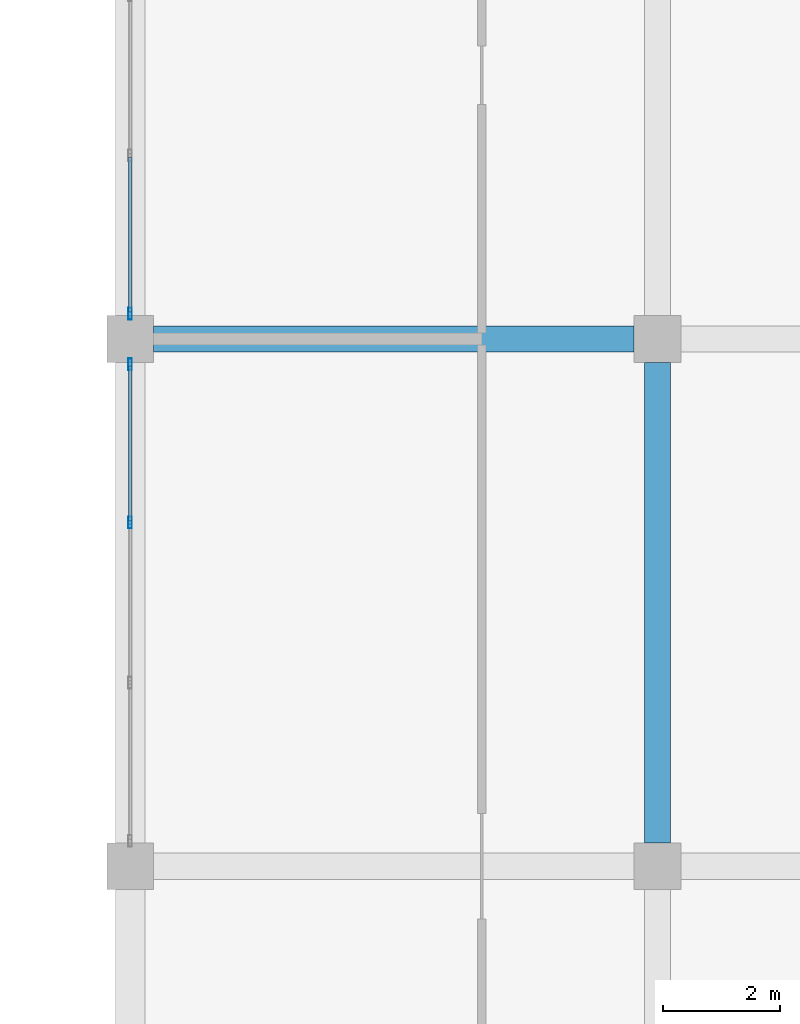
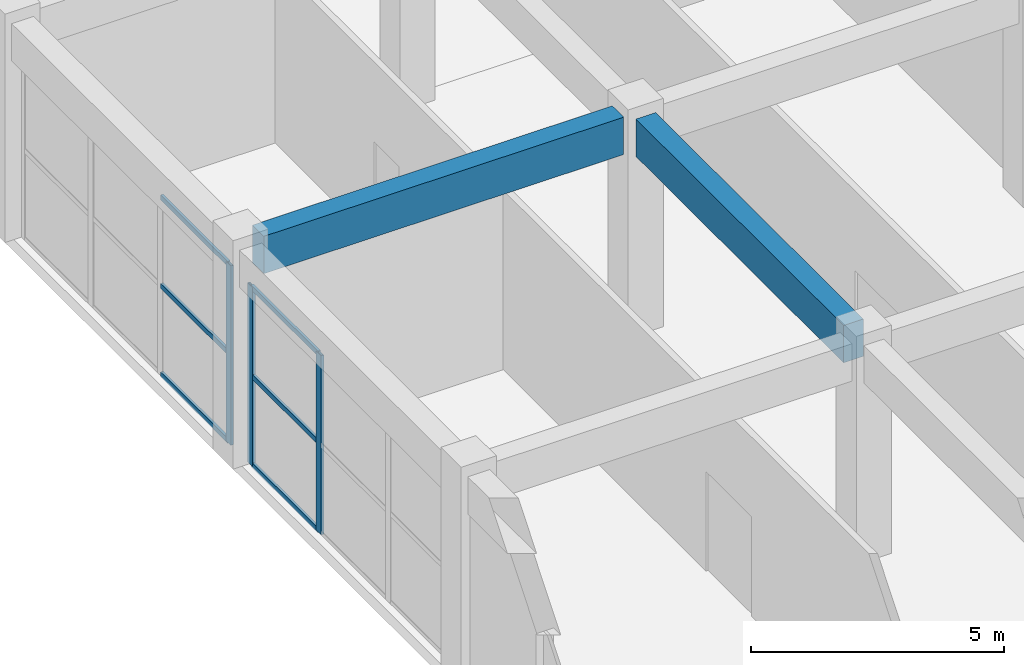
# One storey, part 202 of 437: 9 members, 2 beams, 2 elements without a shape of their own.
"""IFC4 building model written with IfcOpenShell, lengths in metres."""

from ifc_helpers import new_model, si_unit, direction, frame, origin, origin_2d, place, context, subcontext, project, spatial, rectangle, hollow_rectangle, extrude, material, layer, layer_set, material_profile, profile_set, type_object, element, aggregate, save


model = new_model("IFC4")

# Units and contexts
model_context = context("Model", 3, precision=1e-05, world=origin(), true_north=direction((0.0, 1.0)))
body_context = subcontext(model_context, "Body", "Model", "MODEL_VIEW")
ifc_project = project(units=[si_unit("LENGTHUNIT", "METRE"), si_unit("AREAUNIT", "SQUARE_METRE"), si_unit("VOLUMEUNIT", "CUBIC_METRE"), si_unit("PLANEANGLEUNIT", "RADIAN"), si_unit("MASSUNIT", "GRAM", prefix="KILO")], contexts=[model_context])

# Site, building, storey
site_placement = place(None, origin())
site = spatial("IfcSite", under=ifc_project, at=site_placement, CompositionType="ELEMENT")
building_placement = place(site_placement, origin())
building = spatial("IfcBuilding", under=site, at=building_placement, Name="Opaline Strait Convention Centre", CompositionType="ELEMENT")
storey_placement = place(building_placement, frame((0.0, 0.0, 11.5)))
storey = spatial("IfcBuildingStorey", under=building, at=storey_placement, Name="L02", CompositionType="ELEMENT", Elevation=11.5)

# Curtain wall, members
ifc_material_1 = material(Name="Aluminium framed double glazing", Category="aluminium")
ifc_layer = layer(ifc_material_1, 0.199951171875)
ifc_layer_set = layer_set([ifc_layer], Name="Aluminium framed double glazing")
curtain_wall_type = type_object("IfcCurtainWallType", Name="Curtain wall 3000 module unitised", PredefinedType="NOTDEFINED", material=ifc_layer_set)
curtain_wall_1_placement = place(storey_placement, origin())
curtain_wall_1 = element("IfcCurtainWall", 1, at=curtain_wall_1_placement, inside=storey, type_object=curtain_wall_type, Name="Curtain wall W L02 32/P", PredefinedType="NOTDEFINED")
ifc_material_2 = material(Name="Aluminium alloy 6063", Category="aluminium")
ifc_material_profile_1 = material_profile(ifc_material_2, hollow_rectangle(XDim=0.06005859375, YDim=0.199951171875, WallThickness=0.00390625, at=origin_2d()), Name="MULLION 60x200x4")
ifc_profile_set_1 = profile_set([ifc_material_profile_1], Name="Aluminium alloy 6063")
member_type_1 = type_object("IfcMemberType", Name="Curtain wall mullion 60 x 200", PredefinedType="MULLION", material=ifc_profile_set_1)
member_1_placement = place(storey_placement, frame((279.0, 122.86669921875, 0.0), z_axis=(0.0, 0.0, 1.0), x_axis=(-1.0, 0.0, 0.0)))
member_1 = element("IfcMember", 2, at=member_1_placement, type_object=member_type_1, Name="MCWR1 mullion 3", PredefinedType="MULLION", context=body_context, shape_type="SweptSolid", body=[
    extrude(hollow_rectangle(XDim=0.06005859375, YDim=0.199951171875, WallThickness=0.00390625, at=origin_2d()), origin(), (0.0, 0.0, 1.0), 4.320068359375),
])
member_2_placement = place(storey_placement, frame((279.0, 125.570068359375, 0.0), z_axis=(0.0, 0.0, 1.0), x_axis=(-1.0, 0.0, 0.0)))
member_2 = element("IfcMember", 3, at=member_2_placement, type_object=member_type_1, Name="MCWR1 mullion 4", PredefinedType="MULLION", context=body_context, shape_type="SweptSolid", body=[
    extrude(hollow_rectangle(XDim=0.06005859375, YDim=0.199951171875, WallThickness=0.00390625, at=origin_2d()), origin(), (0.0, 0.0, 1.0), 4.320068359375),
])

# Curtain wall, member
curtain_wall_2_placement = place(storey_placement, origin())
curtain_wall_2 = element("IfcCurtainWall", 4, at=curtain_wall_2_placement, inside=storey, type_object=curtain_wall_type, Name="Curtain wall W L02 32/Q", PredefinedType="NOTDEFINED")
member_3_placement = place(storey_placement, frame((279.0, 126.429931640625, 0.0), z_axis=(0.0, 0.0, 1.0), x_axis=(-1.0, 0.0, 0.0)))
member_3 = element("IfcMember", 5, at=member_3_placement, type_object=member_type_1, Name="MCWR1 mullion 1", PredefinedType="MULLION", context=body_context, shape_type="SweptSolid", body=[
    extrude(hollow_rectangle(XDim=0.06005859375, YDim=0.199951171875, WallThickness=0.00390625, at=origin_2d()), origin(), (0.0, 0.0, 1.0), 4.320068359375),
])

# Member
ifc_material_profile_2 = material_profile(ifc_material_2, hollow_rectangle(XDim=0.06005859375, YDim=0.1201171875, WallThickness=0.0029296875, at=origin_2d()), Name="TRANSOM 60x120x3")
ifc_profile_set_2 = profile_set([ifc_material_profile_2], Name="Aluminium alloy 6063")
member_type_2 = type_object("IfcMemberType", Name="Curtain wall transom 60 x 120", PredefinedType="USERDEFINED", material=ifc_profile_set_2)
member_4_placement = place(storey_placement, frame((279.0, 122.896728515625, 0.030029296875), z_axis=(0.0, 1.0, 0.0), x_axis=(-1.0, 0.0, 0.0)))
member_4 = element("IfcMember", 6, at=member_4_placement, type_object=member_type_2, Name="MCWR1 transom 3.1", ObjectType="TRANSOM", PredefinedType="USERDEFINED", context=body_context, shape_type="SweptSolid", body=[
    extrude(hollow_rectangle(XDim=0.06005859375, YDim=0.1201171875, WallThickness=0.0029296875, at=origin_2d()), origin(), (0.0, 0.0, 1.0), 2.643310546875),
])

member_5_placement = place(storey_placement, frame((279.0, 122.896728515625, 2.159912109375), z_axis=(0.0, 1.0, 0.0), x_axis=(-1.0, 0.0, 0.0)))
member_5 = element("IfcMember", 7, at=member_5_placement, type_object=member_type_2, Name="MCWR1 transom 3.2", ObjectType="TRANSOM", PredefinedType="USERDEFINED", context=body_context, shape_type="SweptSolid", body=[
    extrude(hollow_rectangle(XDim=0.06005859375, YDim=0.1201171875, WallThickness=0.0029296875, at=origin_2d()), origin(), (0.0, 0.0, 1.0), 2.643310546875),
])

member_6_placement = place(storey_placement, frame((279.0, 122.896728515625, 4.2900390625), z_axis=(0.0, 1.0, 0.0), x_axis=(-1.0, 0.0, 0.0)))
member_6 = element("IfcMember", 8, at=member_6_placement, type_object=member_type_2, Name="MCWR1 transom 3.3", ObjectType="TRANSOM", PredefinedType="USERDEFINED", context=body_context, shape_type="SweptSolid", body=[
    extrude(hollow_rectangle(XDim=0.06005859375, YDim=0.1201171875, WallThickness=0.0029296875, at=origin_2d()), origin(), (0.0, 0.0, 1.0), 2.643310546875),
])

aggregate(curtain_wall_1, [member_1, member_2, member_4, member_5, member_6])

member_7_placement = place(storey_placement, frame((279.0, 126.4599609375, 0.030029296875), z_axis=(0.0, 1.0, 0.0), x_axis=(-1.0, 0.0, 0.0)))
member_7 = element("IfcMember", 9, at=member_7_placement, type_object=member_type_2, Name="MCWR1 transom 1.1", ObjectType="TRANSOM", PredefinedType="USERDEFINED", context=body_context, shape_type="SweptSolid", body=[
    extrude(hollow_rectangle(XDim=0.06005859375, YDim=0.1201171875, WallThickness=0.0029296875, at=origin_2d()), origin(), (0.0, 0.0, 1.0), 2.643310546875),
])

member_8_placement = place(storey_placement, frame((279.0, 126.4599609375, 2.159912109375), z_axis=(0.0, 1.0, 0.0), x_axis=(-1.0, 0.0, 0.0)))
member_8 = element("IfcMember", 10, at=member_8_placement, type_object=member_type_2, Name="MCWR1 transom 1.2", ObjectType="TRANSOM", PredefinedType="USERDEFINED", context=body_context, shape_type="SweptSolid", body=[
    extrude(hollow_rectangle(XDim=0.06005859375, YDim=0.1201171875, WallThickness=0.0029296875, at=origin_2d()), origin(), (0.0, 0.0, 1.0), 2.643310546875),
])

member_9_placement = place(storey_placement, frame((279.0, 126.4599609375, 4.2900390625), z_axis=(0.0, 1.0, 0.0), x_axis=(-1.0, 0.0, 0.0)))
member_9 = element("IfcMember", 11, at=member_9_placement, type_object=member_type_2, Name="MCWR1 transom 1.3", ObjectType="TRANSOM", PredefinedType="USERDEFINED", context=body_context, shape_type="SweptSolid", body=[
    extrude(hollow_rectangle(XDim=0.06005859375, YDim=0.1201171875, WallThickness=0.0029296875, at=origin_2d()), origin(), (0.0, 0.0, 1.0), 2.643310546875),
])

aggregate(curtain_wall_2, [member_3, member_7, member_8, member_9])

# Beams
ifc_material_3 = material(Name="Concrete C35", Category="concrete")
ifc_material_profile_3 = material_profile(ifc_material_3, rectangle(XDim=0.449951171875, YDim=0.89990234375, at=origin_2d()), Name="RC 450x900")
ifc_profile_set_3 = profile_set([ifc_material_profile_3], Name="Concrete C35")
beam_type = type_object("IfcBeamType", Name="RC beam 450x900 C35", PredefinedType="BEAM", material=ifc_profile_set_3)
for number, where, z_axis, x_axis, name in (
    (12, (279.39990234375, 126.0, 4.77001953125), (1.0, 0.0, 0.0), (0.0, 1.0, 0.0), "XB1 L02 32/Q-33/Q"),
    (13, (288.0, 117.39990234375, 4.77001953125), (0.0, 1.0, 0.0), (-1.0, 0.0, 0.0), "XB1 L02 33/P-33/Q"),
):
    element("IfcBeam", number, at=place(storey_placement, frame(where, z_axis=z_axis, x_axis=x_axis)), inside=storey, type_object=beam_type, Name=name, PredefinedType="BEAM", context=body_context, shape_type="SweptSolid", body=[
        extrude(rectangle(XDim=0.449951171875, YDim=0.89990234375, at=origin_2d()), origin(), (0.0, 0.0, 1.0), 8.2001953125),
    ])

save(model, "model.ifc")
